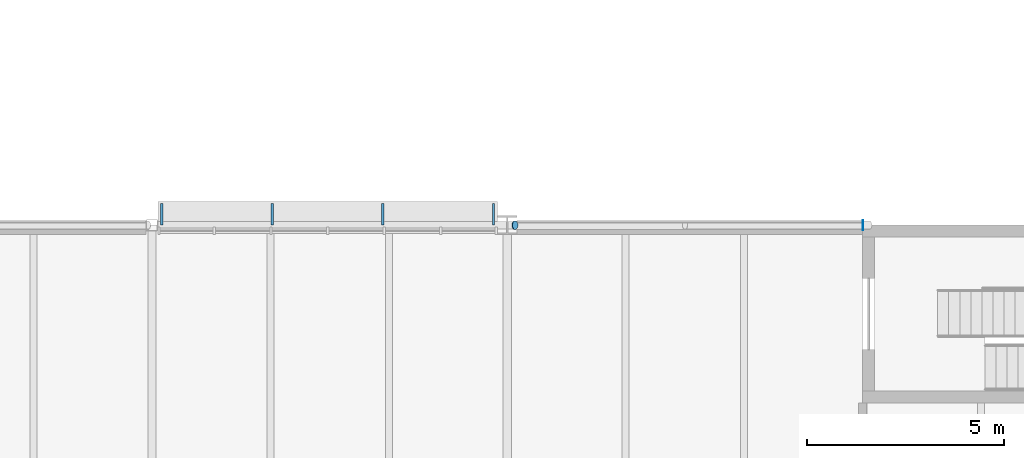
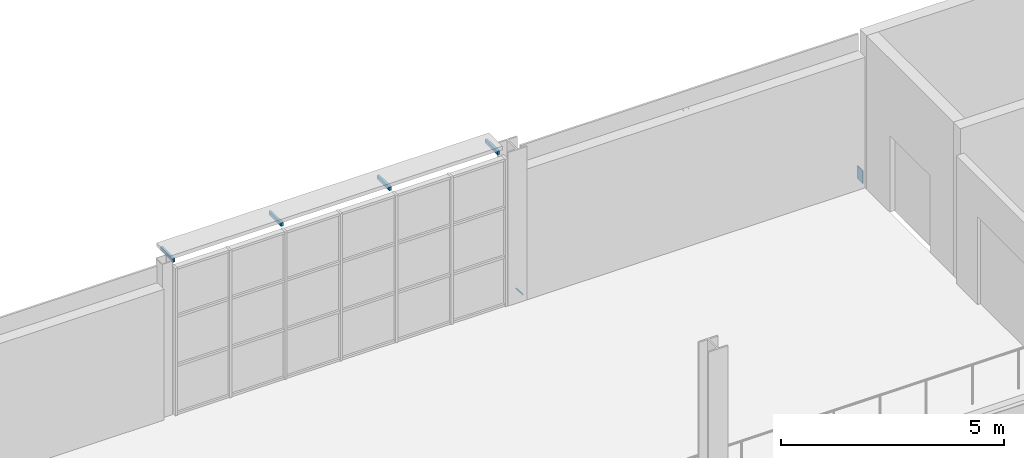
# One storey, part 40 of 57: 6 discrete accessories.
"""IFC4 building model written with IfcOpenShell, lengths in metres."""

from ifc_helpers import new_model, si_unit, direction, frame, origin, origin_2d, place, context, subcontext, project, spatial, rectangle, circle, extrude, element, save


model = new_model("IFC4")

# Units and contexts
model_context = context("Model", 3, precision=1e-05, world=origin(), true_north=direction((0.0, 1.0)))
body_context = subcontext(model_context, "Body", "Model", "MODEL_VIEW")
ifc_project = project(units=[si_unit("LENGTHUNIT", "METRE"), si_unit("AREAUNIT", "SQUARE_METRE"), si_unit("VOLUMEUNIT", "CUBIC_METRE"), si_unit("PLANEANGLEUNIT", "RADIAN"), si_unit("MASSUNIT", "GRAM", prefix="KILO")], contexts=[model_context])

# Site, building, storey
site_placement = place(None, origin())
site = spatial("IfcSite", under=ifc_project, at=site_placement, CompositionType="ELEMENT")
building_placement = place(site_placement, origin())
building = spatial("IfcBuilding", under=site, at=building_placement, Name="Halyard Row Museum", CompositionType="ELEMENT")
storey_placement = place(building_placement, frame((0.0, 0.0, 5.0)))
storey = spatial("IfcBuildingStorey", under=building, at=storey_placement, Name="L01", CompositionType="ELEMENT", Elevation=5.0)

# Discrete accessories
discrete_accessory_1_placement = place(storey_placement, frame((54.199951171875, 45.0, 0.109619140625), z_axis=(-0.782059551443, 0.0, -0.623203705056), x_axis=(0.0, -1.0, 0.0)))
element("IfcDiscreteAccessory", 1, at=discrete_accessory_1_placement, inside=storey, Name="Brace L01 Y45 54-63 A foot end plate", PredefinedType="BRACKET", context=body_context, shape_type="SweptSolid", body=[
    extrude(circle(Radius=0.109619140625, at=origin_2d()), origin(), (0.0, 0.0, 1.0), 0.02001953125),
])
discrete_accessory_2_placement = place(storey_placement, frame((63.0, 45.0, 0.215087890625), z_axis=(1.0, 0.0, 0.0), x_axis=(0.0, 1.0, 0.0)))
element("IfcDiscreteAccessory", 2, at=discrete_accessory_2_placement, inside=storey, Name="Brace L01 Y45 54-63 B cast-in plate", PredefinedType="ANCHORPLATE", context=body_context, shape_type="SweptSolid", body=[
    extrude(rectangle(XDim=0.25, YDim=0.35009765625, at=origin_2d()), origin(), (0.0, 0.0, 1.0), 0.02001953125),
])
for number, where, z_axis, x_axis, name in (
    (3, (53.64990234375, 45.27490234375, 4.034912109375), (0.0, 0.0, 1.0), (1.0, 0.0, 0.0), "Louvre bracket"),
    (4, (50.85009765625, 45.27490234375, 4.034912109375), (0.0, 0.0, 1.0), (1.0, 0.0, 0.0), "Louvre bracket"),
    (5, (48.050048828125, 45.27490234375, 4.034912109375), (0.0, 0.0, 1.0), (1.0, 0.0, 0.0), "Louvre bracket"),
    (6, (45.25, 45.27490234375, 4.034912109375), (0.0, 0.0, 1.0), (1.0, 0.0, 0.0), "Louvre bracket"),
):
    element("IfcDiscreteAccessory", number, at=place(storey_placement, frame(where, z_axis=z_axis, x_axis=x_axis)), inside=storey, Name=name, PredefinedType="BRACKET", context=body_context, shape_type="SweptSolid", body=[
        extrude(rectangle(XDim=0.06005859375, YDim=0.550048828125, at=origin_2d()), origin(), (0.0, 0.0, 1.0), 0.10009765625),
    ])

save(model, "model.ifc")
